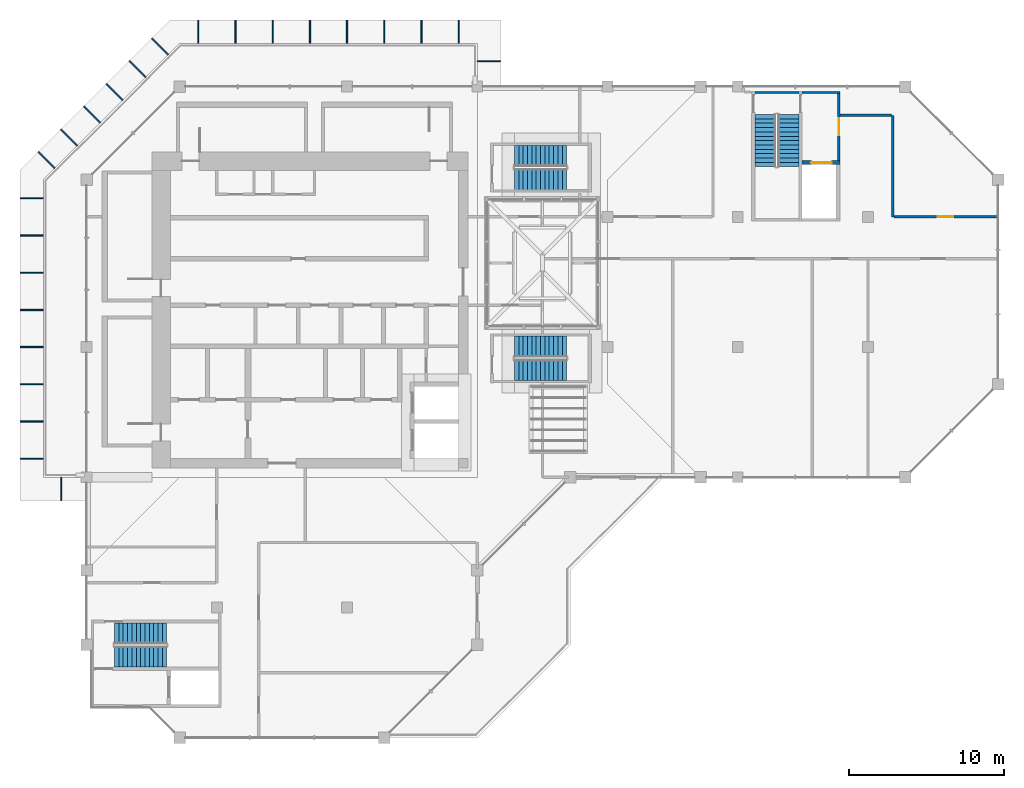
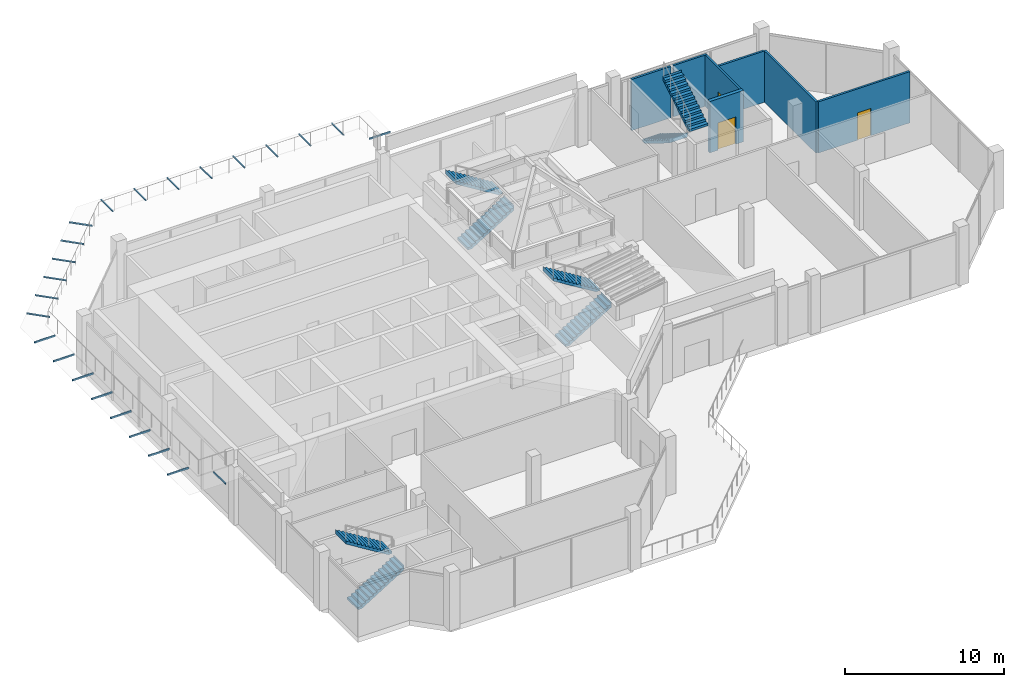
# One storey, part 11 of 15: 24 discrete accessories, 8 stair flights, 7 walls, 3 doors, 3 openings, 4 elements without a shape of their own.
"""IFC4 building model written with IfcOpenShell, lengths in metres."""

from ifc_helpers import new_model, si_unit, direction, frame, frame_2d, origin, origin_2d, place, context, subcontext, project, spatial, polyline, rectangle, outline, extrude, material, layer, layer_set, type_object, element, fill, aggregate, save


model = new_model("IFC4")

# Units and contexts
model_context = context("Model", 3, precision=1e-05, world=origin(), true_north=direction((0.0, 1.0)))
body_context = subcontext(model_context, "Body", "Model", "MODEL_VIEW")
ifc_project = project(units=[si_unit("LENGTHUNIT", "METRE"), si_unit("AREAUNIT", "SQUARE_METRE"), si_unit("VOLUMEUNIT", "CUBIC_METRE"), si_unit("PLANEANGLEUNIT", "RADIAN"), si_unit("MASSUNIT", "GRAM", prefix="KILO")], contexts=[model_context])

# Site, building, storey
site_placement = place(None, origin())
site = spatial("IfcSite", under=ifc_project, at=site_placement, CompositionType="ELEMENT")
building_placement = place(site_placement, origin())
building = spatial("IfcBuilding", under=site, at=building_placement, Name="Kawkab Arch Medical Tower", CompositionType="ELEMENT")
storey_placement = place(building_placement, frame((0.0, 0.0, 332.199951171875)))
storey = spatial("IfcBuildingStorey", under=building, at=storey_placement, Name="L77", CompositionType="ELEMENT", Elevation=332.199951171875)

# Wall, opening, door
ifc_material_1 = material(Name="Gypsum board on steel studs", Category="steel")
ifc_layer_1 = layer(ifc_material_1, 0.14990234375)
ifc_layer_set_1 = layer_set([ifc_layer_1], Name="Gypsum board on steel studs")
wall_type_1 = type_object("IfcWallType", Name="Core room partition 150", PredefinedType="PARTITIONING", material=ifc_layer_set_1)
wall_1_placement = place(storey_placement, frame((48.52490234375, -4.77490234375, 0.0), z_axis=(0.0, 0.0, 1.0), x_axis=(0.0, 1.0, 0.0)))
wall_1 = element("IfcWall", 1, at=wall_1_placement, inside=storey, type_object=wall_type_1, Name="L77 core room partition", PredefinedType="PARTITIONING", context=body_context, shape_type="SweptSolid", body=[
    extrude(rectangle(XDim=4.324951171875, YDim=0.14990234375, at=frame_2d((2.16259765625, 0.0))), origin(), (0.0, 0.0, 1.0), 3.949951171875),
])
opening_1_placement = place(wall_1_placement, frame((1.625, 0.0, 0.0)))
opening_1 = element("IfcOpeningElement", 2, at=opening_1_placement, cuts=wall_1, Name="Opening FD", PredefinedType="OPENING", context=body_context, shape_type="SweptSolid", body=[
    extrude(rectangle(XDim=1.10009765625, YDim=2.10009765625, at=frame_2d((0.550048828125, 1.050048828125))), frame((0.0, 0.0849609375, 0.0), z_axis=(0.0, -1.0, 0.0), x_axis=(1.0, 0.0, 0.0)), (0.0, 0.0, 1.0), 0.169921875),
])
ifc_material_2 = material(Name="Hollow metal fire door leaf")
door_type_1 = type_object("IfcDoorType", Name="Firefighting lobby door 1100", OperationType="SINGLE_SWING_LEFT", PredefinedType="DOOR", material=ifc_material_2)
door_1_placement = place(opening_1_placement, origin())
door_1 = element("IfcDoor", 3, at=door_1_placement, inside=storey, type_object=door_type_1, Name="L77 Service lift lobby door SV1", OperationType="SINGLE_SWING_LEFT", OverallHeight=2.10009765625, OverallWidth=1.10009765625, PredefinedType="DOOR", context=body_context, shape_type="SweptSolid", body=[
    extrude(rectangle(XDim=1.10009765625, YDim=2.10009765625, at=frame_2d((0.550048828125, 1.050048828125))), frame((0.0, 0.02490234375, 0.0), z_axis=(0.0, -1.0, 0.0), x_axis=(1.0, 0.0, 0.0)), (0.0, 0.0, 1.0), 0.050048828125),
])
fill(opening_1, door_1)

ifc_material_3 = material(Name="Concrete C60/75", Category="concrete")
ifc_layer_2 = layer(ifc_material_3, 0.25)
ifc_layer_set_2 = layer_set([ifc_layer_2], Name="Concrete C60/75")
wall_type_2 = type_object("IfcWallType", Name="Core shear wall 250 C60/75", PredefinedType="SHEAR", material=ifc_layer_set_2)
wall_2_placement = place(storey_placement, frame((46.14990234375, -4.89990234375, 0.0), z_axis=(0.0, 0.0, 1.0), x_axis=(1.0, 0.0, 0.0)))
wall_2 = element("IfcWall", 4, at=wall_2_placement, inside=storey, type_object=wall_type_2, Name="L77 core shear wall", PredefinedType="SHEAR", context=body_context, shape_type="SweptSolid", body=[
    extrude(rectangle(XDim=2.4501953125, YDim=0.25, at=frame_2d((1.22509765625, 0.0))), origin(), (0.0, 0.0, 1.0), 3.949951171875),
])
opening_2_placement = place(wall_2_placement, frame((0.60009765625, 0.0, 0.0)))
opening_2 = element("IfcOpeningElement", 5, at=opening_2_placement, cuts=wall_2, Name="Opening LD2", PredefinedType="OPENING", context=body_context, shape_type="SweptSolid", body=[
    extrude(rectangle(XDim=1.300048828125, YDim=2.10009765625, at=frame_2d((0.64990234375, 1.050048828125))), frame((0.0, 0.135009765625, 0.0), z_axis=(0.0, -1.0, 0.0), x_axis=(1.0, 0.0, 0.0)), (0.0, 0.0, 1.0), 0.27001953125),
])
ifc_material_4 = material(Name="Stainless steel lift door leaf", Category="steel")
door_type_2 = type_object("IfcDoorType", Name="Lift landing door 1300", OperationType="DOUBLE_DOOR_SLIDING", PredefinedType="DOOR", material=ifc_material_4)
door_2_placement = place(opening_2_placement, origin())
door_2 = element("IfcDoor", 6, at=door_2_placement, inside=storey, type_object=door_type_2, Name="L77 Lift landing door SV1", OperationType="DOUBLE_DOOR_SLIDING", OverallHeight=2.10009765625, OverallWidth=1.300048828125, PredefinedType="DOOR", context=body_context, shape_type="SweptSolid", body=[
    extrude(rectangle(XDim=1.300048828125, YDim=2.10009765625, at=frame_2d((0.64990234375, 1.050048828125))), frame((0.0, 0.02490234375, 0.0), z_axis=(0.0, -1.0, 0.0), x_axis=(1.0, 0.0, 0.0)), (0.0, 0.0, 1.0), 0.050048828125),
])
fill(opening_2, door_2)

ifc_material_5 = material(Name="Gypsum board partition on steel studs, mineral wool", Category="steel")
ifc_layer_3 = layer(ifc_material_5, 0.14990234375)
ifc_layer_set_3 = layer_set([ifc_layer_3], Name="Gypsum board partition on steel studs, mineral wool")
wall_type_3 = type_object("IfcWallType", Name="Partition 150", PredefinedType="PARTITIONING", material=ifc_layer_set_3)
wall_3_placement = place(storey_placement, frame((52.068115234375, -8.39990234375, 0.0), z_axis=(0.0, 0.0, 1.0), x_axis=(1.0, 0.0, 0.0)))
wall_3 = element("IfcWall", 7, at=wall_3_placement, inside=storey, type_object=wall_type_3, Name="Partition 150 w010", PredefinedType="PARTITIONING", context=body_context, shape_type="SweptSolid", body=[
    extrude(rectangle(XDim=6.65185546875, YDim=0.14990234375, at=frame_2d((3.325927734375, 0.0))), origin(), (0.0, 0.0, 1.0), 3.949951171875),
])
opening_3_placement = place(wall_3_placement, frame((2.8291015625, 0.0, 0.0)))
opening_3 = element("IfcOpeningElement", 8, at=opening_3_placement, cuts=wall_3, Name="Opening H77-009", PredefinedType="OPENING", context=body_context, shape_type="SweptSolid", body=[
    extrude(rectangle(XDim=1.0, YDim=2.10009765625, at=frame_2d((0.5, 1.050048828125))), frame((0.0, 0.0849609375, 0.0), z_axis=(0.0, -1.0, 0.0), x_axis=(1.0, 0.0, 0.0)), (0.0, 0.0, 1.0), 0.169921875),
])
ifc_material_6 = material(Name="Hollow metal door leaf")
door_type_3 = type_object("IfcDoorType", Name="Single door 1000x2100 FD30S", OperationType="NOTDEFINED", PredefinedType="DOOR", material=ifc_material_6)
door_3_placement = place(opening_3_placement, origin())
door_3 = element("IfcDoor", 9, at=door_3_placement, inside=storey, type_object=door_type_3, Name="Door H77-009", OperationType="SINGLE_SWING_LEFT", OverallHeight=2.10009765625, OverallWidth=1.0, PredefinedType="DOOR", context=body_context, shape_type="SweptSolid", body=[
    extrude(rectangle(XDim=1.0, YDim=2.10009765625, at=frame_2d((0.5, 1.050048828125))), frame((0.0, 0.02490234375, 0.0), z_axis=(0.0, -1.0, 0.0), x_axis=(1.0, 0.0, 0.0)), (0.0, 0.0, 1.0), 0.050048828125),
])
fill(opening_3, door_3)

# Walls
wall_4_placement = place(storey_placement, frame((48.60009765625, -1.85009765625, 0.0), z_axis=(0.0, 0.0, 1.0), x_axis=(1.0, 0.0, 0.0)))
element("IfcWall", 10, at=wall_4_placement, inside=storey, type_object=wall_type_3, Name="Partition 150 w011", PredefinedType="PARTITIONING", context=body_context, shape_type="SweptSolid", body=[
    extrude(rectangle(XDim=3.31591796875, YDim=0.14990234375, at=frame_2d((1.657958984375, 0.0))), origin(), (0.0, 0.0, 1.0), 3.949951171875),
])
wall_5_placement = place(storey_placement, frame((51.992919921875, -8.39990234375, 0.0), z_axis=(0.0, 0.0, 1.0), x_axis=(0.0, 1.0, 0.0)))
element("IfcWall", 11, at=wall_5_placement, inside=storey, type_object=wall_type_3, Name="Partition 150 w026", PredefinedType="PARTITIONING", context=body_context, shape_type="SweptSolid", body=[
    extrude(rectangle(XDim=6.5478515625, YDim=0.14990234375, at=frame_2d((3.27392578125, 0.0))), origin(), (0.0, 0.0, 1.0), 3.949951171875),
])
ifc_material_7 = material(Name="Concrete C50/60", Category="concrete")
ifc_layer_4 = layer(ifc_material_7, 0.14990234375)
ifc_layer_set_4 = layer_set([ifc_layer_4], Name="Concrete C50/60")
wall_type_4 = type_object("IfcWallType", Name="Stair enclosure wall 150 C50/60", PredefinedType="SHEAR", material=ifc_layer_set_4)
wall_6_placement = place(storey_placement, frame((43.10009765625, -0.375, 0.0), z_axis=(0.0, 0.0, 1.0), x_axis=(1.0, 0.0, 0.0)))
element("IfcWall", 12, at=wall_6_placement, inside=storey, type_object=wall_type_4, Name="L77 stair enclosure wall", PredefinedType="SHEAR", context=body_context, shape_type="SweptSolid", body=[
    extrude(rectangle(XDim=2.849853515625, YDim=0.14990234375, at=frame_2d((1.4248046875, 0.0))), origin(), (0.0, 0.0, 1.0), 3.949951171875),
])
wall_7_placement = place(storey_placement, frame((46.14990234375, -0.375, 0.0), z_axis=(0.0, 0.0, 1.0), x_axis=(1.0, 0.0, 0.0)))
element("IfcWall", 13, at=wall_7_placement, inside=storey, type_object=wall_type_4, Name="L77 stair enclosure wall", PredefinedType="SHEAR", context=body_context, shape_type="SweptSolid", body=[
    extrude(rectangle(XDim=2.4501953125, YDim=0.14990234375, at=frame_2d((1.22509765625, 0.0))), origin(), (0.0, 0.0, 1.0), 3.949951171875),
])

# Stair, stair flights
ifc_material_8 = material(Name="Concrete C40/50", Category="concrete")
stair_type = type_object("IfcStairType", Name="Exit stair 1350", PredefinedType="HALF_TURN_STAIR", material=ifc_material_8)
placement = place(storey_placement, origin())
stair_1 = element("IfcStair", 14, at=placement, inside=storey, type_object=stair_type, Name="L77 Exit stair DS1", PredefinedType="HALF_TURN_STAIR")
ifc_material_9 = material(Name="Concrete C40/50", Category="concrete")
stair_flight_type = type_object("IfcStairFlightType", Name="Exit stair flight 1350", PredefinedType="STRAIGHT", material=ifc_material_9)
stair_flight_1_placement = place(storey_placement, frame((27.60009765625, -18.27490234375, 0.0), z_axis=(0.0, 0.0, 1.0), x_axis=(1.0, 0.0, 0.0)))
stair_flight_1 = element("IfcStairFlight", 15, at=stair_flight_1_placement, type_object=stair_flight_type, Name="DS1 flight 1", NumberOfRisers=13, NumberOfTreads=12, PredefinedType="STRAIGHT", RiserHeight=0.173076923, TreadLength=0.28, context=body_context, shape_type="SweptSolid", body=[
    extrude(outline(polyline([(-0.0029296875, 0.0), (-0.0029296875, 0.173095703125), (0.0, 0.173095703125), (0.280029296875, 0.173095703125), (0.280029296875, 0.34619140625), (0.56005859375, 0.34619140625), (0.56005859375, 0.519287109375), (0.840087890625, 0.519287109375), (0.840087890625, 0.6923828125), (1.1201171875, 0.6923828125), (1.1201171875, 0.865478515625), (1.39990234375, 0.865478515625), (1.39990234375, 1.03857421875), (1.679931640625, 1.03857421875), (1.679931640625, 1.21142578125), (1.9599609375, 1.21142578125), (1.9599609375, 1.384521484375), (2.239990234375, 1.384521484375), (2.239990234375, 1.5576171875), (2.52001953125, 1.5576171875), (2.52001953125, 1.730712890625), (2.800048828125, 1.730712890625), (2.800048828125, 1.90380859375), (3.080078125, 1.90380859375), (3.080078125, 2.076904296875), (3.360107421875, 2.076904296875), (3.360107421875, 2.25), (3.363037109375, 2.25), (3.363037109375, 1.900634765625), (3.360107421875, 1.900634765625), (0.28515625, 0.0), (-0.0029296875, 0.0)])), frame((0.0, 0.675048828125, 0.0), z_axis=(0.0, -1.0, 0.0), x_axis=(1.0, 0.0, 0.0)), (0.0, 0.0, 1.0), 1.35009765625),
])
stair_flight_2_placement = place(storey_placement, frame((30.9599609375, -16.77490234375, 2.25), z_axis=(0.0, 0.0, 1.0), x_axis=(-1.0, 0.0, 0.0)))
stair_flight_2 = element("IfcStairFlight", 16, at=stair_flight_2_placement, type_object=stair_flight_type, Name="DS1 flight 2", NumberOfRisers=13, NumberOfTreads=12, PredefinedType="STRAIGHT", RiserHeight=0.173076923, TreadLength=0.28, context=body_context, shape_type="SweptSolid", body=[
    extrude(outline(polyline([(-0.0029296875, 0.0), (-0.0029296875, 0.173095703125), (0.0, 0.173095703125), (0.280029296875, 0.173095703125), (0.280029296875, 0.34619140625), (0.56005859375, 0.34619140625), (0.56005859375, 0.519287109375), (0.840087890625, 0.519287109375), (0.840087890625, 0.6923828125), (1.1201171875, 0.6923828125), (1.1201171875, 0.865478515625), (1.39990234375, 0.865478515625), (1.39990234375, 1.03857421875), (1.679931640625, 1.03857421875), (1.679931640625, 1.21142578125), (1.9599609375, 1.21142578125), (1.9599609375, 1.384521484375), (2.239990234375, 1.384521484375), (2.239990234375, 1.5576171875), (2.52001953125, 1.5576171875), (2.52001953125, 1.730712890625), (2.800048828125, 1.730712890625), (2.800048828125, 1.90380859375), (3.080078125, 1.90380859375), (3.080078125, 2.076904296875), (3.360107421875, 2.076904296875), (3.360107421875, 2.25), (3.363037109375, 2.25), (3.363037109375, 1.900634765625), (3.360107421875, 1.900634765625), (0.28515625, 0.0), (-0.0029296875, 0.0)])), frame((0.0, 0.675048828125, 0.0), z_axis=(0.0, -1.0, 0.0), x_axis=(1.0, 0.0, 0.0)), (0.0, 0.0, 1.0), 1.35009765625),
])
aggregate(stair_1, [stair_flight_1, stair_flight_2])

stair_2 = element("IfcStair", 17, at=placement, inside=storey, type_object=stair_type, Name="L77 Exit stair DS2", PredefinedType="HALF_TURN_STAIR")
stair_flight_3_placement = place(storey_placement, frame((27.60009765625, -5.97509765625, 0.0), z_axis=(0.0, 0.0, 1.0), x_axis=(1.0, 0.0, 0.0)))
stair_flight_3 = element("IfcStairFlight", 18, at=stair_flight_3_placement, type_object=stair_flight_type, Name="DS2 flight 1", NumberOfRisers=13, NumberOfTreads=12, PredefinedType="STRAIGHT", RiserHeight=0.173076923, TreadLength=0.28, context=body_context, shape_type="SweptSolid", body=[
    extrude(outline(polyline([(-0.0029296875, 0.0), (-0.0029296875, 0.173095703125), (0.0, 0.173095703125), (0.280029296875, 0.173095703125), (0.280029296875, 0.34619140625), (0.56005859375, 0.34619140625), (0.56005859375, 0.519287109375), (0.840087890625, 0.519287109375), (0.840087890625, 0.6923828125), (1.1201171875, 0.6923828125), (1.1201171875, 0.865478515625), (1.39990234375, 0.865478515625), (1.39990234375, 1.03857421875), (1.679931640625, 1.03857421875), (1.679931640625, 1.21142578125), (1.9599609375, 1.21142578125), (1.9599609375, 1.384521484375), (2.239990234375, 1.384521484375), (2.239990234375, 1.5576171875), (2.52001953125, 1.5576171875), (2.52001953125, 1.730712890625), (2.800048828125, 1.730712890625), (2.800048828125, 1.90380859375), (3.080078125, 1.90380859375), (3.080078125, 2.076904296875), (3.360107421875, 2.076904296875), (3.360107421875, 2.25), (3.363037109375, 2.25), (3.363037109375, 1.900634765625), (3.360107421875, 1.900634765625), (0.28515625, 0.0), (-0.0029296875, 0.0)])), frame((0.0, 0.675048828125, 0.0), z_axis=(0.0, -1.0, 0.0), x_axis=(1.0, 0.0, 0.0)), (0.0, 0.0, 1.0), 1.35009765625),
])
stair_flight_4_placement = place(storey_placement, frame((30.9599609375, -4.47509765625, 2.25), z_axis=(0.0, 0.0, 1.0), x_axis=(-1.0, 0.0, 0.0)))
stair_flight_4 = element("IfcStairFlight", 19, at=stair_flight_4_placement, type_object=stair_flight_type, Name="DS2 flight 2", NumberOfRisers=13, NumberOfTreads=12, PredefinedType="STRAIGHT", RiserHeight=0.173076923, TreadLength=0.28, context=body_context, shape_type="SweptSolid", body=[
    extrude(outline(polyline([(-0.0029296875, 0.0), (-0.0029296875, 0.173095703125), (0.0, 0.173095703125), (0.280029296875, 0.173095703125), (0.280029296875, 0.34619140625), (0.56005859375, 0.34619140625), (0.56005859375, 0.519287109375), (0.840087890625, 0.519287109375), (0.840087890625, 0.6923828125), (1.1201171875, 0.6923828125), (1.1201171875, 0.865478515625), (1.39990234375, 0.865478515625), (1.39990234375, 1.03857421875), (1.679931640625, 1.03857421875), (1.679931640625, 1.21142578125), (1.9599609375, 1.21142578125), (1.9599609375, 1.384521484375), (2.239990234375, 1.384521484375), (2.239990234375, 1.5576171875), (2.52001953125, 1.5576171875), (2.52001953125, 1.730712890625), (2.800048828125, 1.730712890625), (2.800048828125, 1.90380859375), (3.080078125, 1.90380859375), (3.080078125, 2.076904296875), (3.360107421875, 2.076904296875), (3.360107421875, 2.25), (3.363037109375, 2.25), (3.363037109375, 1.900634765625), (3.360107421875, 1.900634765625), (0.28515625, 0.0), (-0.0029296875, 0.0)])), frame((0.0, 0.675048828125, 0.0), z_axis=(0.0, -1.0, 0.0), x_axis=(1.0, 0.0, 0.0)), (0.0, 0.0, 1.0), 1.35009765625),
])
aggregate(stair_2, [stair_flight_3, stair_flight_4])

stair_3 = element("IfcStair", 20, at=placement, inside=storey, type_object=stair_type, Name="L77 Exit stair ST5", PredefinedType="HALF_TURN_STAIR")
stair_flight_5_placement = place(storey_placement, frame((43.77490234375, -1.800048828125, 0.0), z_axis=(0.0, 0.0, 1.0), x_axis=(0.0, -1.0, 0.0)))
stair_flight_5 = element("IfcStairFlight", 21, at=stair_flight_5_placement, type_object=stair_flight_type, Name="ST5 flight 1", NumberOfRisers=13, NumberOfTreads=12, PredefinedType="STRAIGHT", RiserHeight=0.173076923, TreadLength=0.28, context=body_context, shape_type="SweptSolid", body=[
    extrude(outline(polyline([(-0.0029296875, 0.0), (-0.0029296875, 0.173095703125), (0.0, 0.173095703125), (0.280029296875, 0.173095703125), (0.280029296875, 0.34619140625), (0.56005859375, 0.34619140625), (0.56005859375, 0.519287109375), (0.840087890625, 0.519287109375), (0.840087890625, 0.6923828125), (1.1201171875, 0.6923828125), (1.1201171875, 0.865478515625), (1.39990234375, 0.865478515625), (1.39990234375, 1.03857421875), (1.679931640625, 1.03857421875), (1.679931640625, 1.21142578125), (1.9599609375, 1.21142578125), (1.9599609375, 1.384521484375), (2.239990234375, 1.384521484375), (2.239990234375, 1.5576171875), (2.52001953125, 1.5576171875), (2.52001953125, 1.730712890625), (2.800048828125, 1.730712890625), (2.800048828125, 1.90380859375), (3.080078125, 1.90380859375), (3.080078125, 2.076904296875), (3.360107421875, 2.076904296875), (3.360107421875, 2.25), (3.363037109375, 2.25), (3.363037109375, 1.900634765625), (3.360107421875, 1.900634765625), (0.28515625, 0.0), (-0.0029296875, 0.0)])), frame((0.0, 0.675048828125, 0.0), z_axis=(0.0, -1.0, 0.0), x_axis=(1.0, 0.0, 0.0)), (0.0, 0.0, 1.0), 1.35009765625),
])
stair_flight_6_placement = place(storey_placement, frame((45.27490234375, -5.159912109375, 2.25), z_axis=(0.0, 0.0, 1.0), x_axis=(0.0, 1.0, 0.0)))
stair_flight_6 = element("IfcStairFlight", 22, at=stair_flight_6_placement, type_object=stair_flight_type, Name="ST5 flight 2", NumberOfRisers=13, NumberOfTreads=12, PredefinedType="STRAIGHT", RiserHeight=0.173076923, TreadLength=0.28, context=body_context, shape_type="SweptSolid", body=[
    extrude(outline(polyline([(-0.0029296875, 0.0), (-0.0029296875, 0.173095703125), (0.0, 0.173095703125), (0.280029296875, 0.173095703125), (0.280029296875, 0.34619140625), (0.56005859375, 0.34619140625), (0.56005859375, 0.519287109375), (0.840087890625, 0.519287109375), (0.840087890625, 0.6923828125), (1.1201171875, 0.6923828125), (1.1201171875, 0.865478515625), (1.39990234375, 0.865478515625), (1.39990234375, 1.03857421875), (1.679931640625, 1.03857421875), (1.679931640625, 1.21142578125), (1.9599609375, 1.21142578125), (1.9599609375, 1.384521484375), (2.239990234375, 1.384521484375), (2.239990234375, 1.5576171875), (2.52001953125, 1.5576171875), (2.52001953125, 1.730712890625), (2.800048828125, 1.730712890625), (2.800048828125, 1.90380859375), (3.080078125, 1.90380859375), (3.080078125, 2.076904296875), (3.360107421875, 2.076904296875), (3.360107421875, 2.25), (3.363037109375, 2.25), (3.363037109375, 1.900634765625), (3.360107421875, 1.900634765625), (0.28515625, 0.0), (-0.0029296875, 0.0)])), frame((0.0, 0.675048828125, 0.0), z_axis=(0.0, -1.0, 0.0), x_axis=(1.0, 0.0, 0.0)), (0.0, 0.0, 1.0), 1.35009765625),
])
aggregate(stair_3, [stair_flight_5, stair_flight_6])

stair_4 = element("IfcStair", 23, at=placement, inside=storey, type_object=stair_type, Name="L77 Exit stair ST6", PredefinedType="HALF_TURN_STAIR")
stair_flight_7_placement = place(storey_placement, frame((1.800048828125, -36.77490234375, 0.0), z_axis=(0.0, 0.0, 1.0), x_axis=(1.0, 0.0, 0.0)))
stair_flight_7 = element("IfcStairFlight", 24, at=stair_flight_7_placement, type_object=stair_flight_type, Name="ST6 flight 1", NumberOfRisers=13, NumberOfTreads=12, PredefinedType="STRAIGHT", RiserHeight=0.173076923, TreadLength=0.28, context=body_context, shape_type="SweptSolid", body=[
    extrude(outline(polyline([(-0.0029296875, 0.0), (-0.0029296875, 0.173095703125), (0.0, 0.173095703125), (0.280029296875, 0.173095703125), (0.280029296875, 0.34619140625), (0.56005859375, 0.34619140625), (0.56005859375, 0.519287109375), (0.840087890625, 0.519287109375), (0.840087890625, 0.6923828125), (1.1201171875, 0.6923828125), (1.1201171875, 0.865478515625), (1.39990234375, 0.865478515625), (1.39990234375, 1.03857421875), (1.679931640625, 1.03857421875), (1.679931640625, 1.21142578125), (1.9599609375, 1.21142578125), (1.9599609375, 1.384521484375), (2.239990234375, 1.384521484375), (2.239990234375, 1.5576171875), (2.52001953125, 1.5576171875), (2.52001953125, 1.730712890625), (2.800048828125, 1.730712890625), (2.800048828125, 1.90380859375), (3.080078125, 1.90380859375), (3.080078125, 2.076904296875), (3.360107421875, 2.076904296875), (3.360107421875, 2.25), (3.363037109375, 2.25), (3.363037109375, 1.900634765625), (3.360107421875, 1.900634765625), (0.28515625, 0.0), (-0.0029296875, 0.0)])), frame((0.0, 0.675048828125, 0.0), z_axis=(0.0, -1.0, 0.0), x_axis=(1.0, 0.0, 0.0)), (0.0, 0.0, 1.0), 1.35009765625),
])
stair_flight_8_placement = place(storey_placement, frame((5.159912109375, -35.27490234375, 2.25), z_axis=(0.0, 0.0, 1.0), x_axis=(-1.0, 0.0, 0.0)))
stair_flight_8 = element("IfcStairFlight", 25, at=stair_flight_8_placement, type_object=stair_flight_type, Name="ST6 flight 2", NumberOfRisers=13, NumberOfTreads=12, PredefinedType="STRAIGHT", RiserHeight=0.173076923, TreadLength=0.28, context=body_context, shape_type="SweptSolid", body=[
    extrude(outline(polyline([(-0.0029296875, 0.0), (-0.0029296875, 0.173095703125), (0.0, 0.173095703125), (0.280029296875, 0.173095703125), (0.280029296875, 0.34619140625), (0.56005859375, 0.34619140625), (0.56005859375, 0.519287109375), (0.840087890625, 0.519287109375), (0.840087890625, 0.6923828125), (1.1201171875, 0.6923828125), (1.1201171875, 0.865478515625), (1.39990234375, 0.865478515625), (1.39990234375, 1.03857421875), (1.679931640625, 1.03857421875), (1.679931640625, 1.21142578125), (1.9599609375, 1.21142578125), (1.9599609375, 1.384521484375), (2.239990234375, 1.384521484375), (2.239990234375, 1.5576171875), (2.52001953125, 1.5576171875), (2.52001953125, 1.730712890625), (2.800048828125, 1.730712890625), (2.800048828125, 1.90380859375), (3.080078125, 1.90380859375), (3.080078125, 2.076904296875), (3.360107421875, 2.076904296875), (3.360107421875, 2.25), (3.363037109375, 2.25), (3.363037109375, 1.900634765625), (3.360107421875, 1.900634765625), (0.28515625, 0.0), (-0.0029296875, 0.0)])), frame((0.0, 0.675048828125, 0.0), z_axis=(0.0, -1.0, 0.0), x_axis=(1.0, 0.0, 0.0)), (0.0, 0.0, 1.0), 1.35009765625),
])
aggregate(stair_4, [stair_flight_7, stair_flight_8])

# Discrete accessories
ifc_material_10 = material(Name="Galvanised steel net bracket", Category="steel")
discrete_accessory_type = type_object("IfcDiscreteAccessoryType", Name="Net bracket", PredefinedType="BRACKET", material=ifc_material_10)
for number, where, z_axis, x_axis, name in (
    (26, (25.949951171875, 1.63330078125, 4.35009765625), (0.0, 0.0, 1.0), (1.0, 0.0, 0.0), "Net bracket 1"),
    (27, (24.0, 3.550048828125, 4.35009765625), (0.0, 0.0, 1.0), (0.0, 1.0, 0.0), "Net bracket 2"),
    (28, (21.60009765625, 3.550048828125, 4.35009765625), (0.0, 0.0, 1.0), (0.0, 1.0, 0.0), "Net bracket 3"),
    (29, (19.199951171875, 3.550048828125, 4.35009765625), (0.0, 0.0, 1.0), (0.0, 1.0, 0.0), "Net bracket 4"),
    (30, (16.800048828125, 3.550048828125, 4.35009765625), (0.0, 0.0, 1.0), (0.0, 1.0, 0.0), "Net bracket 5"),
    (31, (14.39990234375, 3.550048828125, 4.35009765625), (0.0, 0.0, 1.0), (0.0, 1.0, 0.0), "Net bracket 6"),
    (32, (12.0, 3.550048828125, 4.35009765625), (0.0, 0.0, 1.0), (0.0, 1.0, 0.0), "Net bracket 7"),
    (33, (9.60009765625, 3.550048828125, 4.35009765625), (0.0, 0.0, 1.0), (0.0, 1.0, 0.0), "Net bracket 8"),
    (34, (7.199951171875, 3.550048828125, 4.35009765625), (0.0, 0.0, 1.0), (0.0, 1.0, 0.0), "Net bracket 9"),
    (35, (4.736328125, 2.596923828125, 4.35009765625), (0.0, 0.0, 1.0), (-0.707106781187, 0.707106781187, 0.0), "Net bracket 10"),
    (36, (3.269775390625, 1.13037109375, 4.35009765625), (0.0, 0.0, 1.0), (-0.707106781187, 0.707106781187, 0.0), "Net bracket 11"),
    (37, (1.802978515625, -0.336181640625, 4.35009765625), (0.0, 0.0, 1.0), (-0.707106781187, 0.707106781187, 0.0), "Net bracket 12"),
    (38, (0.336181640625, -1.802978515625, 4.35009765625), (0.0, 0.0, 1.0), (-0.707106781187, 0.707106781187, 0.0), "Net bracket 13"),
    (39, (-1.13037109375, -3.269775390625, 4.35009765625), (0.0, 0.0, 1.0), (-0.707106781187, 0.707106781187, 0.0), "Net bracket 14"),
    (40, (-2.596923828125, -4.736328125, 4.35009765625), (0.0, 0.0, 1.0), (-0.707106781187, 0.707106781187, 0.0), "Net bracket 15"),
    (41, (-3.550048828125, -7.199951171875, 4.35009765625), (0.0, 0.0, 1.0), (-1.0, 0.0, 0.0), "Net bracket 16"),
    (42, (-3.550048828125, -9.60009765625, 4.35009765625), (0.0, 0.0, 1.0), (-1.0, 0.0, 0.0), "Net bracket 17"),
    (43, (-3.550048828125, -12.0, 4.35009765625), (0.0, 0.0, 1.0), (-1.0, 0.0, 0.0), "Net bracket 18"),
    (44, (-3.550048828125, -14.39990234375, 4.35009765625), (0.0, 0.0, 1.0), (-1.0, 0.0, 0.0), "Net bracket 19"),
    (45, (-3.550048828125, -16.800048828125, 4.35009765625), (0.0, 0.0, 1.0), (-1.0, 0.0, 0.0), "Net bracket 20"),
    (46, (-3.550048828125, -19.199951171875, 4.35009765625), (0.0, 0.0, 1.0), (-1.0, 0.0, 0.0), "Net bracket 21"),
    (47, (-3.550048828125, -21.60009765625, 4.35009765625), (0.0, 0.0, 1.0), (-1.0, 0.0, 0.0), "Net bracket 22"),
    (48, (-3.550048828125, -24.0, 4.35009765625), (0.0, 0.0, 1.0), (-1.0, 0.0, 0.0), "Net bracket 23"),
    (49, (-1.63330078125, -25.949951171875, 4.35009765625), (0.0, 0.0, 1.0), (0.0, -1.0, 0.0), "Net bracket 24"),
):
    element("IfcDiscreteAccessory", number, at=place(storey_placement, frame(where, z_axis=z_axis, x_axis=x_axis)), inside=storey, type_object=discrete_accessory_type, Name=name, PredefinedType="BRACKET", context=body_context, shape_type="SweptSolid", body=[
        extrude(rectangle(XDim=1.5, YDim=0.080078125, at=origin_2d()), origin(), (0.0, 0.0, 1.0), 0.080078125),
    ])

save(model, "model.ifc")
